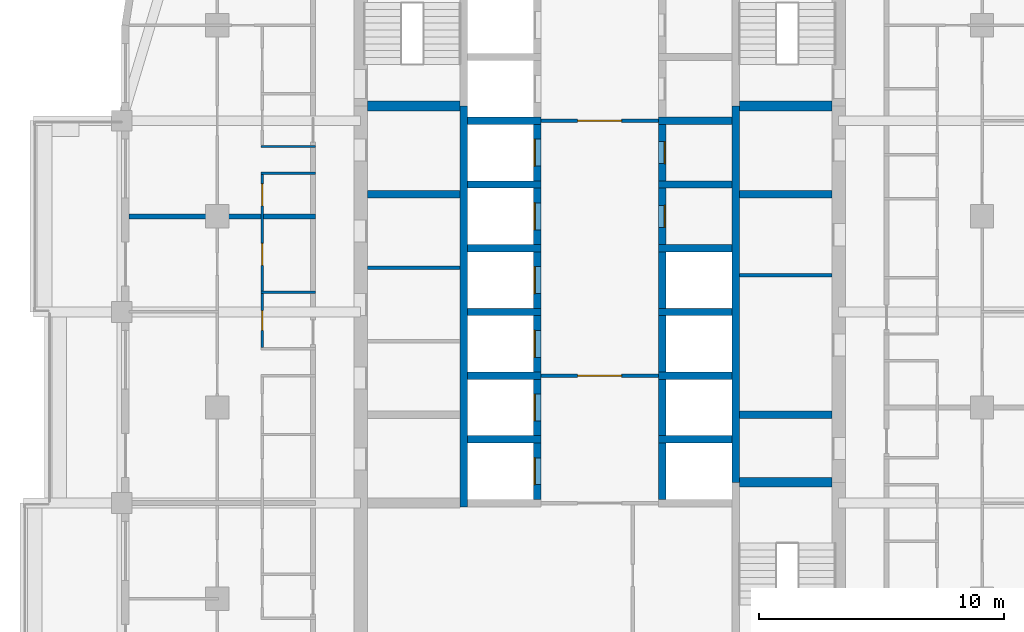
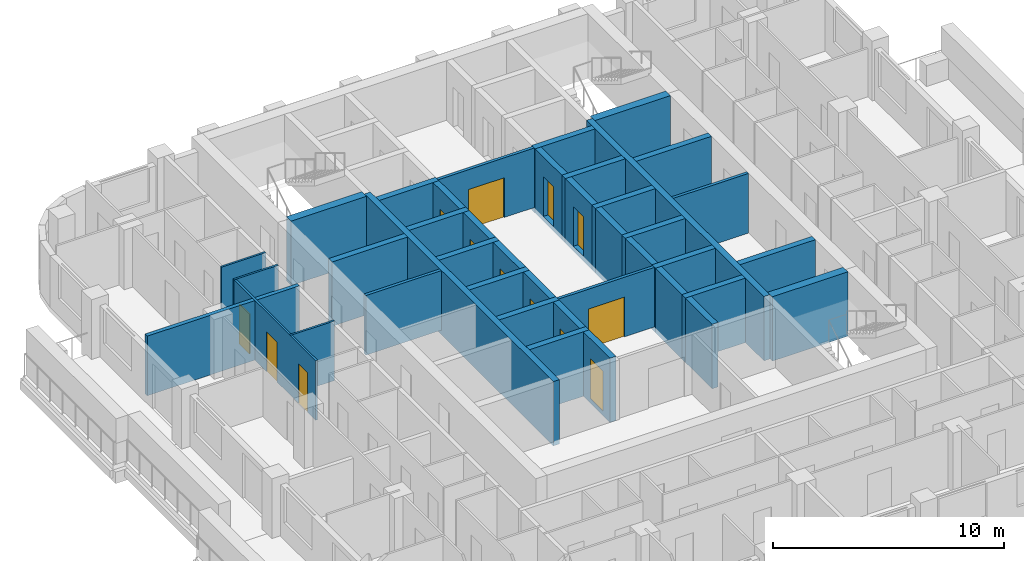
# One storey, part 5 of 13: 41 walls, 13 doors, 13 openings.
"""IFC4 building model written with IfcOpenShell, lengths in metres."""

from ifc_helpers import new_model, si_unit, direction, frame, frame_2d, origin, place, context, subcontext, project, spatial, rectangle, extrude, material, layer, layer_set, type_object, element, fill, save


model = new_model("IFC4")

# Units and contexts
model_context = context("Model", 3, precision=1e-05, world=origin(), true_north=direction((0.0, 1.0)))
body_context = subcontext(model_context, "Body", "Model", "MODEL_VIEW")
ifc_project = project(units=[si_unit("LENGTHUNIT", "METRE"), si_unit("AREAUNIT", "SQUARE_METRE"), si_unit("VOLUMEUNIT", "CUBIC_METRE"), si_unit("PLANEANGLEUNIT", "RADIAN"), si_unit("MASSUNIT", "GRAM", prefix="KILO")], contexts=[model_context])

# Site, building, storey
site_placement = place(None, origin())
site = spatial("IfcSite", under=ifc_project, at=site_placement, CompositionType="ELEMENT")
building_placement = place(site_placement, origin())
building = spatial("IfcBuilding", under=site, at=building_placement, Name="Ludao Terraces", CompositionType="ELEMENT")
storey_placement = place(building_placement, frame((0.0, 0.0, 127.10009765625)))
storey = spatial("IfcBuildingStorey", under=building, at=storey_placement, Name="L34", CompositionType="ELEMENT", Elevation=127.10009765625)

# Wall, opening, door
ifc_material_1 = material(Name="Fire-rated gypsum plasterboard", Category="gypsum")
ifc_layer_1 = layer(ifc_material_1, 0.012451171875, Category="gypsum")
ifc_material_2 = material(Name="Mineral wool")
ifc_layer_2 = layer(ifc_material_2, 0.10009765625, Name="insulation")
ifc_material_3 = material(Name="Steel Q235", Category="steel")
ifc_layer_3 = layer(ifc_material_3, 0.02490234375, Name="stud")
ifc_layer_4 = layer(ifc_material_1, 0.012451171875, Category="gypsum")
ifc_layer_set_1 = layer_set([ifc_layer_1, ifc_layer_2, ifc_layer_3, ifc_layer_4], Name="INT Core partition 150")
wall_type_1 = type_object("IfcWallType", Name="INT Core partition 150", PredefinedType="PARTITIONING", material=ifc_layer_set_1)
wall_1_placement = place(storey_placement, frame((82.60009765625, 66.300048828125, 0.0), z_axis=(0.0, 0.0, 1.0), x_axis=(1.0, 0.0, 0.0)))
wall_1 = element("IfcWall", 1, at=wall_1_placement, inside=storey, type_object=wall_type_1, Name="PW-L34-PW024", PredefinedType="PARTITIONING", context=body_context, shape_type="SweptSolid", body=[
    extrude(rectangle(XDim=4.800048828125, YDim=0.14990234375, at=frame_2d((2.39990234375, 0.0))), origin(), (0.0, 0.0, 1.0), 3.14990234375),
])
opening_1_placement = place(wall_1_placement, frame((1.5, 0.0, 0.0)))
opening_1 = element("IfcOpeningElement", 2, at=opening_1_placement, cuts=wall_1, Name="Opening R10-051", PredefinedType="OPENING", context=body_context, shape_type="SweptSolid", body=[
    extrude(rectangle(XDim=1.800048828125, YDim=2.10009765625, at=frame_2d((0.89990234375, 1.050048828125))), frame((0.0, 0.0849609375, 0.0), z_axis=(0.0, -1.0, 0.0), x_axis=(1.0, 0.0, 0.0)), (0.0, 0.0, 1.0), 0.169921875),
])
door_type_1 = type_object("IfcDoorType", Name="INT Fire lobby door 1800", OperationType="DOUBLE_DOOR_SINGLE_SWING", PredefinedType="DOOR", material=ifc_material_3)
door_1_placement = place(opening_1_placement, origin())
door_1 = element("IfcDoor", 3, at=door_1_placement, inside=storey, type_object=door_type_1, Name="DOOR 051", OperationType="DOUBLE_DOOR_SINGLE_SWING", OverallHeight=2.10009765625, OverallWidth=1.800048828125, PredefinedType="DOOR", context=body_context, shape_type="SweptSolid", body=[
    extrude(rectangle(XDim=1.800048828125, YDim=2.10009765625, at=frame_2d((0.89990234375, 1.050048828125))), frame((0.0, 0.02490234375, 0.0), z_axis=(0.0, -1.0, 0.0), x_axis=(1.0, 0.0, 0.0)), (0.0, 0.0, 1.0), 0.050048828125),
])
fill(opening_1, door_1)

# Walls
for number, where, z_axis, x_axis, name in (
    (4, (90.7001953125, 70.39990234375, 0.0), (0.0, 0.0, 1.0), (1.0, 0.0, 0.0), "PW-L34-PW033"),
    (5, (75.525146484375, 70.699951171875, 0.0), (0.0, 0.0, 1.0), (1.0, 0.0, 0.0), "PW-L34-PW034"),
):
    element("IfcWall", number, at=place(storey_placement, frame(where, z_axis=z_axis, x_axis=x_axis)), inside=storey, type_object=wall_type_1, Name=name, PredefinedType="PARTITIONING", context=body_context, shape_type="SweptSolid", body=[
        extrude(rectangle(XDim=3.77490234375, YDim=0.14990234375, at=frame_2d((1.887451171875, 0.0))), origin(), (0.0, 0.0, 1.0), 3.14990234375),
    ])

# Wall, opening, door
wall_2_placement = place(storey_placement, frame((82.60009765625, 76.699951171875, 0.0), z_axis=(0.0, 0.0, 1.0), x_axis=(1.0, 0.0, 0.0)))
wall_2 = element("IfcWall", 6, at=wall_2_placement, inside=storey, type_object=wall_type_1, Name="PW-L34-PW040", PredefinedType="PARTITIONING", context=body_context, shape_type="SweptSolid", body=[
    extrude(rectangle(XDim=4.800048828125, YDim=0.14990234375, at=frame_2d((2.39990234375, 0.0))), origin(), (0.0, 0.0, 1.0), 3.14990234375),
])
opening_2_placement = place(wall_2_placement, frame((1.5, 0.0, 0.0)))
opening_2 = element("IfcOpeningElement", 7, at=opening_2_placement, cuts=wall_2, Name="Opening R10-078", PredefinedType="OPENING", context=body_context, shape_type="SweptSolid", body=[
    extrude(rectangle(XDim=1.800048828125, YDim=2.10009765625, at=frame_2d((0.89990234375, 1.050048828125))), frame((0.0, 0.0849609375, 0.0), z_axis=(0.0, -1.0, 0.0), x_axis=(1.0, 0.0, 0.0)), (0.0, 0.0, 1.0), 0.169921875),
])
door_2_placement = place(opening_2_placement, origin())
door_2 = element("IfcDoor", 8, at=door_2_placement, inside=storey, type_object=door_type_1, Name="DOOR 078", OperationType="DOUBLE_DOOR_SINGLE_SWING", OverallHeight=2.10009765625, OverallWidth=1.800048828125, PredefinedType="DOOR", context=body_context, shape_type="SweptSolid", body=[
    extrude(rectangle(XDim=1.800048828125, YDim=2.10009765625, at=frame_2d((0.89990234375, 1.050048828125))), frame((0.0, 0.02490234375, 0.0), z_axis=(0.0, -1.0, 0.0), x_axis=(1.0, 0.0, 0.0)), (0.0, 0.0, 1.0), 0.050048828125),
])
fill(opening_2, door_2)

# Walls
ifc_material_4 = material(Name="Gypsum plasterboard", Category="gypsum")
ifc_layer_5 = layer(ifc_material_4, 0.012451171875, Category="gypsum")
ifc_layer_6 = layer(ifc_material_2, 0.06005859375, Name="insulation")
ifc_layer_7 = layer(ifc_material_3, 0.014892578125, Name="stud")
ifc_layer_8 = layer(ifc_material_4, 0.012451171875, Category="gypsum")
ifc_layer_set_2 = layer_set([ifc_layer_5, ifc_layer_6, ifc_layer_7, ifc_layer_8], Name="INT Partition 100")
wall_type_2 = type_object("IfcWallType", Name="INT Partition 100", PredefinedType="PARTITIONING", material=ifc_layer_set_2)
for number, where, z_axis, x_axis, name in (
    (9, (71.18017578125, 69.699951171875, 0.0), (0.0, 0.0, 1.0), (1.0, 0.0, 0.0), "PW-L34-PW031"),
    (10, (71.18017578125, 74.550048828125, 0.0), (0.0, 0.0, 1.0), (1.0, 0.0, 0.0), "PW-L34-PW037"),
    (11, (71.18017578125, 75.64990234375, 0.0), (0.0, 0.0, 1.0), (1.0, 0.0, 0.0), "PW-L34-PW039"),
):
    element("IfcWall", number, at=place(storey_placement, frame(where, z_axis=z_axis, x_axis=x_axis)), inside=storey, type_object=wall_type_2, Name=name, PredefinedType="PARTITIONING", context=body_context, shape_type="SweptSolid", body=[
        extrude(rectangle(XDim=2.219970703125, YDim=0.10009765625, at=frame_2d((1.10986328125, 0.0))), origin(), (0.0, 0.0, 1.0), 3.14990234375),
    ])

# Wall, openings, doors
wall_3_placement = place(storey_placement, frame((71.22998046875, 67.4501953125, 0.0), z_axis=(0.0, 0.0, 1.0), x_axis=(0.0, 1.0, 0.0)))
wall_3 = element("IfcWall", 12, at=wall_3_placement, inside=storey, type_object=wall_type_2, Name="PW-L34-PW049", PredefinedType="PARTITIONING", context=body_context, shape_type="SweptSolid", body=[
    extrude(rectangle(XDim=7.0498046875, YDim=0.10009765625, at=frame_2d((3.52490234375, 0.0))), origin(), (0.0, 0.0, 1.0), 3.14990234375),
])
opening_3_placement = place(wall_3_placement, frame((0.699951171875, 0.0, 0.0)))
opening_3 = element("IfcOpeningElement", 13, at=opening_3_placement, cuts=wall_3, Name="Opening R10-056", PredefinedType="OPENING", context=body_context, shape_type="SweptSolid", body=[
    extrude(rectangle(XDim=0.800048828125, YDim=2.10009765625, at=frame_2d((0.39990234375, 1.050048828125))), frame((0.0, 0.06005859375, 0.0), z_axis=(0.0, -1.0, 0.0), x_axis=(1.0, 0.0, 0.0)), (0.0, 0.0, 1.0), 0.1201171875),
])
opening_4_placement = place(wall_3_placement, frame((3.349853515625, 0.0, 0.0)))
opening_4 = element("IfcOpeningElement", 14, at=opening_4_placement, cuts=wall_3, Name="Opening R10-062", PredefinedType="OPENING", context=body_context, shape_type="SweptSolid", body=[
    extrude(rectangle(XDim=0.89990234375, YDim=2.10009765625, at=frame_2d((0.449951171875, 1.050048828125))), frame((0.0, 0.06005859375, 0.0), z_axis=(0.0, -1.0, 0.0), x_axis=(1.0, 0.0, 0.0)), (0.0, 0.0, 1.0), 0.1201171875),
])
opening_5_placement = place(wall_3_placement, frame((5.77490234375, 0.0, 0.0)))
opening_5 = element("IfcOpeningElement", 15, at=opening_5_placement, cuts=wall_3, Name="Opening R10-068", PredefinedType="OPENING", context=body_context, shape_type="SweptSolid", body=[
    extrude(rectangle(XDim=0.89990234375, YDim=2.10009765625, at=frame_2d((0.449951171875, 1.050048828125))), frame((0.0, 0.06005859375, 0.0), z_axis=(0.0, -1.0, 0.0), x_axis=(1.0, 0.0, 0.0)), (0.0, 0.0, 1.0), 0.1201171875),
])
ifc_material_5 = material(Name="Timber door leaf", Category="wood")
door_type_2 = type_object("IfcDoorType", Name="INT Bathroom door 900", OperationType="SINGLE_SWING_LEFT", PredefinedType="DOOR", material=ifc_material_5)
door_3_placement = place(opening_5_placement, origin())
door_3 = element("IfcDoor", 16, at=door_3_placement, inside=storey, type_object=door_type_2, Name="DOOR 068", OperationType="SINGLE_SWING_RIGHT", OverallHeight=2.10009765625, OverallWidth=0.89990234375, PredefinedType="DOOR", context=body_context, shape_type="SweptSolid", body=[
    extrude(rectangle(XDim=0.89990234375, YDim=2.10009765625, at=frame_2d((0.449951171875, 1.050048828125))), frame((0.0, 0.02490234375, 0.0), z_axis=(0.0, -1.0, 0.0), x_axis=(1.0, 0.0, 0.0)), (0.0, 0.0, 1.0), 0.050048828125),
])
fill(opening_5, door_3)
door_type_3 = type_object("IfcDoorType", Name="INT Room door 900", OperationType="SINGLE_SWING_LEFT", PredefinedType="DOOR", material=ifc_material_5)
door_4_placement = place(opening_4_placement, origin())
door_4 = element("IfcDoor", 17, at=door_4_placement, inside=storey, type_object=door_type_3, Name="DOOR 062", OperationType="SINGLE_SWING_LEFT", OverallHeight=2.10009765625, OverallWidth=0.89990234375, PredefinedType="DOOR", context=body_context, shape_type="SweptSolid", body=[
    extrude(rectangle(XDim=0.89990234375, YDim=2.10009765625, at=frame_2d((0.449951171875, 1.050048828125))), frame((0.0, 0.02490234375, 0.0), z_axis=(0.0, -1.0, 0.0), x_axis=(1.0, 0.0, 0.0)), (0.0, 0.0, 1.0), 0.050048828125),
])
fill(opening_4, door_4)
door_type_4 = type_object("IfcDoorType", Name="INT Store door 800", OperationType="SINGLE_SWING_LEFT", PredefinedType="DOOR", material=ifc_material_5)
door_5_placement = place(opening_3_placement, origin())
door_5 = element("IfcDoor", 18, at=door_5_placement, inside=storey, type_object=door_type_4, Name="DOOR 056", OperationType="SINGLE_SWING_RIGHT", OverallHeight=2.10009765625, OverallWidth=0.800048828125, PredefinedType="DOOR", context=body_context, shape_type="SweptSolid", body=[
    extrude(rectangle(XDim=0.800048828125, YDim=2.10009765625, at=frame_2d((0.39990234375, 1.050048828125))), frame((0.0, 0.02490234375, 0.0), z_axis=(0.0, -1.0, 0.0), x_axis=(1.0, 0.0, 0.0)), (0.0, 0.0, 1.0), 0.050048828125),
])
fill(opening_3, door_5)

# Walls
ifc_material_6 = material(Name="Autoclaved aerated concrete block B06 A3.5", Category="concrete")
ifc_layer_9 = layer(ifc_material_6, 0.199951171875)
ifc_layer_set_3 = layer_set([ifc_layer_9], Name="INT Party wall 200")
wall_type_3 = type_object("IfcWallType", Name="INT Party wall 200", PredefinedType="PARTITIONING", material=ifc_layer_set_3)
wall_4_placement = place(storey_placement, frame((65.800048828125, 72.800048828125, 0.0), z_axis=(0.0, 0.0, 1.0), x_axis=(1.0, 0.0, 0.0)))
element("IfcWall", 19, at=wall_4_placement, inside=storey, type_object=wall_type_3, Name="PW-L34-PW035", PredefinedType="PARTITIONING", context=body_context, shape_type="SweptSolid", body=[
    extrude(rectangle(XDim=7.60009765625, YDim=0.199951171875, at=frame_2d((3.800048828125, 0.0))), origin(), (0.0, 0.0, 1.0), 3.14990234375),
])
ifc_material_7 = material(Name="Concrete C55", Category="concrete")
ifc_layer_10 = layer(ifc_material_7, 0.300048828125)
ifc_layer_set_4 = layer_set([ifc_layer_10], Name="Shaft wall 300 C55")
wall_type_4 = type_object("IfcWallType", Name="Shaft wall 300 C55", PredefinedType="SOLIDWALL", material=ifc_layer_set_4)
wall_5_placement = place(storey_placement, frame((79.449951171875, 60.949951171875, -0.25), z_axis=(0.0, 0.0, 1.0), x_axis=(0.0, 1.0, 0.0)))
element("IfcWall", 20, at=wall_5_placement, inside=storey, type_object=wall_type_4, Name="Core wall L34 back-W", PredefinedType="SOLIDWALL", context=body_context, shape_type="SweptSolid", body=[
    extrude(rectangle(XDim=16.35009765625, YDim=0.300048828125, at=frame_2d((8.175048828125, 0.0))), origin(), (0.0, 0.0, 1.0), 3.39990234375),
])
wall_6_placement = place(storey_placement, frame((90.550048828125, 61.949951171875, -0.25), z_axis=(0.0, 0.0, 1.0), x_axis=(0.0, 1.0, 0.0)))
element("IfcWall", 21, at=wall_6_placement, inside=storey, type_object=wall_type_4, Name="Core wall L34 back-E", PredefinedType="SOLIDWALL", context=body_context, shape_type="SweptSolid", body=[
    extrude(rectangle(XDim=15.35009765625, YDim=0.300048828125, at=frame_2d((7.675048828125, 0.0))), origin(), (0.0, 0.0, 1.0), 3.39990234375),
])

# Wall, opening, door
wall_7_placement = place(storey_placement, frame((82.449951171875, 61.25, -0.25), z_axis=(0.0, 0.0, 1.0), x_axis=(0.0, 1.0, 0.0)))
wall_7 = element("IfcWall", 22, at=wall_7_placement, inside=storey, type_object=wall_type_4, Name="Core wall L34 front-W1", PredefinedType="SOLIDWALL", context=body_context, shape_type="SweptSolid", body=[
    extrude(rectangle(XDim=2.300048828125, YDim=0.300048828125, at=frame_2d((1.14990234375, 0.0))), origin(), (0.0, 0.0, 1.0), 3.39990234375),
])
opening_6_placement = place(wall_7_placement, frame((0.60009765625, 0.0, 0.25)))
opening_6 = element("IfcOpeningElement", 23, at=opening_6_placement, cuts=wall_7, Name="Opening LD-LA1", PredefinedType="OPENING", context=body_context, shape_type="SweptSolid", body=[
    extrude(rectangle(XDim=1.10009765625, YDim=2.10009765625, at=frame_2d((0.550048828125, 1.050048828125))), frame((0.0, 0.16015625, 0.0), z_axis=(0.0, -1.0, 0.0), x_axis=(1.0, 0.0, 0.0)), (0.0, 0.0, 1.0), 0.320068359375),
])
ifc_material_8 = material(Name="Stainless steel 304", Category="steel")
door_type_5 = type_object("IfcDoorType", Name="INT Lift landing door 1100", OperationType="SLIDING_TO_LEFT", PredefinedType="DOOR", material=ifc_material_8)
door_6_placement = place(opening_6_placement, origin())
door_6 = element("IfcDoor", 24, at=door_6_placement, inside=storey, type_object=door_type_5, Name="LANDING DOOR LA1 L34", OperationType="SLIDING_TO_RIGHT", OverallHeight=2.10009765625, OverallWidth=1.10009765625, PredefinedType="DOOR", context=body_context, shape_type="SweptSolid", body=[
    extrude(rectangle(XDim=1.10009765625, YDim=2.10009765625, at=frame_2d((0.550048828125, 1.050048828125))), frame((0.0, 0.13525390625, 0.0), z_axis=(0.0, -1.0, 0.0), x_axis=(1.0, 0.0, 0.0)), (0.0, 0.0, 1.0), 0.050048828125),
])
fill(opening_6, door_6)

# Wall
wall_8_placement = place(storey_placement, frame((79.60009765625, 63.699951171875, -0.25), z_axis=(0.0, 0.0, 1.0), x_axis=(1.0, 0.0, 0.0)))
element("IfcWall", 25, at=wall_8_placement, inside=storey, type_object=wall_type_4, Name="Core wall L34 div-W2", PredefinedType="SOLIDWALL", context=body_context, shape_type="SweptSolid", body=[
    extrude(rectangle(XDim=3.0, YDim=0.300048828125, at=frame_2d((1.5, 0.0))), origin(), (0.0, 0.0, 1.0), 3.39990234375),
])

# Wall, opening, door
wall_9_placement = place(storey_placement, frame((82.449951171875, 63.85009765625, -0.25), z_axis=(0.0, 0.0, 1.0), x_axis=(0.0, 1.0, 0.0)))
wall_9 = element("IfcWall", 26, at=wall_9_placement, inside=storey, type_object=wall_type_4, Name="Core wall L34 front-W2", PredefinedType="SOLIDWALL", context=body_context, shape_type="SweptSolid", body=[
    extrude(rectangle(XDim=2.2998046875, YDim=0.300048828125, at=frame_2d((1.14990234375, 0.0))), origin(), (0.0, 0.0, 1.0), 3.39990234375),
])
opening_7_placement = place(wall_9_placement, frame((0.60009765625, 0.0, 0.25)))
opening_7 = element("IfcOpeningElement", 27, at=opening_7_placement, cuts=wall_9, Name="Opening LD-LA2", PredefinedType="OPENING", context=body_context, shape_type="SweptSolid", body=[
    extrude(rectangle(XDim=1.10009765625, YDim=2.10009765625, at=frame_2d((0.550048828125, 1.050048828125))), frame((0.0, 0.16015625, 0.0), z_axis=(0.0, -1.0, 0.0), x_axis=(1.0, 0.0, 0.0)), (0.0, 0.0, 1.0), 0.320068359375),
])
door_7_placement = place(opening_7_placement, origin())
door_7 = element("IfcDoor", 28, at=door_7_placement, inside=storey, type_object=door_type_5, Name="LANDING DOOR LA2 L34", OperationType="SLIDING_TO_RIGHT", OverallHeight=2.10009765625, OverallWidth=1.10009765625, PredefinedType="DOOR", context=body_context, shape_type="SweptSolid", body=[
    extrude(rectangle(XDim=1.10009765625, YDim=2.10009765625, at=frame_2d((0.550048828125, 1.050048828125))), frame((0.0, 0.13525390625, 0.0), z_axis=(0.0, -1.0, 0.0), x_axis=(1.0, 0.0, 0.0)), (0.0, 0.0, 1.0), 0.050048828125),
])
fill(opening_7, door_7)

# Wall
wall_10_placement = place(storey_placement, frame((79.60009765625, 66.300048828125, -0.25), z_axis=(0.0, 0.0, 1.0), x_axis=(1.0, 0.0, 0.0)))
element("IfcWall", 29, at=wall_10_placement, inside=storey, type_object=wall_type_4, Name="Core wall L34 div-W3", PredefinedType="SOLIDWALL", context=body_context, shape_type="SweptSolid", body=[
    extrude(rectangle(XDim=3.0, YDim=0.300048828125, at=frame_2d((1.5, 0.0))), origin(), (0.0, 0.0, 1.0), 3.39990234375),
])

# Wall, opening, door
wall_11_placement = place(storey_placement, frame((82.449951171875, 66.449951171875, -0.25), z_axis=(0.0, 0.0, 1.0), x_axis=(0.0, 1.0, 0.0)))
wall_11 = element("IfcWall", 30, at=wall_11_placement, inside=storey, type_object=wall_type_4, Name="Core wall L34 front-W3", PredefinedType="SOLIDWALL", context=body_context, shape_type="SweptSolid", body=[
    extrude(rectangle(XDim=2.300048828125, YDim=0.300048828125, at=frame_2d((1.14990234375, 0.0))), origin(), (0.0, 0.0, 1.0), 3.39990234375),
])
opening_8_placement = place(wall_11_placement, frame((0.60009765625, 0.0, 0.25)))
opening_8 = element("IfcOpeningElement", 31, at=opening_8_placement, cuts=wall_11, Name="Opening LD-LA3", PredefinedType="OPENING", context=body_context, shape_type="SweptSolid", body=[
    extrude(rectangle(XDim=1.10009765625, YDim=2.10009765625, at=frame_2d((0.550048828125, 1.050048828125))), frame((0.0, 0.16015625, 0.0), z_axis=(0.0, -1.0, 0.0), x_axis=(1.0, 0.0, 0.0)), (0.0, 0.0, 1.0), 0.320068359375),
])
door_8_placement = place(opening_8_placement, origin())
door_8 = element("IfcDoor", 32, at=door_8_placement, inside=storey, type_object=door_type_5, Name="LANDING DOOR LA3 L34", OperationType="SLIDING_TO_RIGHT", OverallHeight=2.10009765625, OverallWidth=1.10009765625, PredefinedType="DOOR", context=body_context, shape_type="SweptSolid", body=[
    extrude(rectangle(XDim=1.10009765625, YDim=2.10009765625, at=frame_2d((0.550048828125, 1.050048828125))), frame((0.0, 0.13525390625, 0.0), z_axis=(0.0, -1.0, 0.0), x_axis=(1.0, 0.0, 0.0)), (0.0, 0.0, 1.0), 0.050048828125),
])
fill(opening_8, door_8)

# Wall
wall_12_placement = place(storey_placement, frame((79.60009765625, 68.89990234375, -0.25), z_axis=(0.0, 0.0, 1.0), x_axis=(1.0, 0.0, 0.0)))
element("IfcWall", 33, at=wall_12_placement, inside=storey, type_object=wall_type_4, Name="Core wall L34 div-W4", PredefinedType="SOLIDWALL", context=body_context, shape_type="SweptSolid", body=[
    extrude(rectangle(XDim=3.0, YDim=0.300048828125, at=frame_2d((1.5, 0.0))), origin(), (0.0, 0.0, 1.0), 3.39990234375),
])

# Wall, opening, door
wall_13_placement = place(storey_placement, frame((82.449951171875, 69.050048828125, -0.25), z_axis=(0.0, 0.0, 1.0), x_axis=(0.0, 1.0, 0.0)))
wall_13 = element("IfcWall", 34, at=wall_13_placement, inside=storey, type_object=wall_type_4, Name="Core wall L34 front-W4", PredefinedType="SOLIDWALL", context=body_context, shape_type="SweptSolid", body=[
    extrude(rectangle(XDim=2.300048828125, YDim=0.300048828125, at=frame_2d((1.14990234375, 0.0))), origin(), (0.0, 0.0, 1.0), 3.39990234375),
])
opening_9_placement = place(wall_13_placement, frame((0.60009765625, 0.0, 0.25)))
opening_9 = element("IfcOpeningElement", 35, at=opening_9_placement, cuts=wall_13, Name="Opening LD-LA4", PredefinedType="OPENING", context=body_context, shape_type="SweptSolid", body=[
    extrude(rectangle(XDim=1.10009765625, YDim=2.10009765625, at=frame_2d((0.550048828125, 1.050048828125))), frame((0.0, 0.16015625, 0.0), z_axis=(0.0, -1.0, 0.0), x_axis=(1.0, 0.0, 0.0)), (0.0, 0.0, 1.0), 0.320068359375),
])
door_9_placement = place(opening_9_placement, origin())
door_9 = element("IfcDoor", 36, at=door_9_placement, inside=storey, type_object=door_type_5, Name="LANDING DOOR LA4 L34", OperationType="SLIDING_TO_LEFT", OverallHeight=2.10009765625, OverallWidth=1.10009765625, PredefinedType="DOOR", context=body_context, shape_type="SweptSolid", body=[
    extrude(rectangle(XDim=1.10009765625, YDim=2.10009765625, at=frame_2d((0.550048828125, 1.050048828125))), frame((0.0, 0.13525390625, 0.0), z_axis=(0.0, -1.0, 0.0), x_axis=(1.0, 0.0, 0.0)), (0.0, 0.0, 1.0), 0.050048828125),
])
fill(opening_9, door_9)

# Wall
wall_14_placement = place(storey_placement, frame((79.60009765625, 71.5, -0.25), z_axis=(0.0, 0.0, 1.0), x_axis=(1.0, 0.0, 0.0)))
element("IfcWall", 37, at=wall_14_placement, inside=storey, type_object=wall_type_4, Name="Core wall L34 div-W5", PredefinedType="SOLIDWALL", context=body_context, shape_type="SweptSolid", body=[
    extrude(rectangle(XDim=3.0, YDim=0.300048828125, at=frame_2d((1.5, 0.0))), origin(), (0.0, 0.0, 1.0), 3.39990234375),
])

# Wall, opening, door
wall_15_placement = place(storey_placement, frame((82.449951171875, 71.64990234375, -0.25), z_axis=(0.0, 0.0, 1.0), x_axis=(0.0, 1.0, 0.0)))
wall_15 = element("IfcWall", 38, at=wall_15_placement, inside=storey, type_object=wall_type_4, Name="Core wall L34 front-W5", PredefinedType="SOLIDWALL", context=body_context, shape_type="SweptSolid", body=[
    extrude(rectangle(XDim=2.300048828125, YDim=0.300048828125, at=frame_2d((1.14990234375, 0.0))), origin(), (0.0, 0.0, 1.0), 3.39990234375),
])
opening_10_placement = place(wall_15_placement, frame((0.60009765625, 0.0, 0.25)))
opening_10 = element("IfcOpeningElement", 39, at=opening_10_placement, cuts=wall_15, Name="Opening LD-LA5", PredefinedType="OPENING", context=body_context, shape_type="SweptSolid", body=[
    extrude(rectangle(XDim=1.10009765625, YDim=2.10009765625, at=frame_2d((0.550048828125, 1.050048828125))), frame((0.0, 0.16015625, 0.0), z_axis=(0.0, -1.0, 0.0), x_axis=(1.0, 0.0, 0.0)), (0.0, 0.0, 1.0), 0.320068359375),
])
door_10_placement = place(opening_10_placement, origin())
door_10 = element("IfcDoor", 40, at=door_10_placement, inside=storey, type_object=door_type_5, Name="LANDING DOOR LA5 L34", OperationType="SLIDING_TO_LEFT", OverallHeight=2.10009765625, OverallWidth=1.10009765625, PredefinedType="DOOR", context=body_context, shape_type="SweptSolid", body=[
    extrude(rectangle(XDim=1.10009765625, YDim=2.10009765625, at=frame_2d((0.550048828125, 1.050048828125))), frame((0.0, 0.13525390625, 0.0), z_axis=(0.0, -1.0, 0.0), x_axis=(1.0, 0.0, 0.0)), (0.0, 0.0, 1.0), 0.050048828125),
])
fill(opening_10, door_10)

# Wall
wall_16_placement = place(storey_placement, frame((79.60009765625, 74.10009765625, -0.25), z_axis=(0.0, 0.0, 1.0), x_axis=(1.0, 0.0, 0.0)))
element("IfcWall", 41, at=wall_16_placement, inside=storey, type_object=wall_type_4, Name="Core wall L34 div-W6", PredefinedType="SOLIDWALL", context=body_context, shape_type="SweptSolid", body=[
    extrude(rectangle(XDim=3.0, YDim=0.300048828125, at=frame_2d((1.5, 0.0))), origin(), (0.0, 0.0, 1.0), 3.39990234375),
])

# Wall, opening, door
wall_17_placement = place(storey_placement, frame((82.449951171875, 74.25, -0.25), z_axis=(0.0, 0.0, 1.0), x_axis=(0.0, 1.0, 0.0)))
wall_17 = element("IfcWall", 42, at=wall_17_placement, inside=storey, type_object=wall_type_4, Name="Core wall L34 front-W6", PredefinedType="SOLIDWALL", context=body_context, shape_type="SweptSolid", body=[
    extrude(rectangle(XDim=2.300048828125, YDim=0.300048828125, at=frame_2d((1.14990234375, 0.0))), origin(), (0.0, 0.0, 1.0), 3.39990234375),
])
opening_11_placement = place(wall_17_placement, frame((0.60009765625, 0.0, 0.25)))
opening_11 = element("IfcOpeningElement", 43, at=opening_11_placement, cuts=wall_17, Name="Opening LD-LA6", PredefinedType="OPENING", context=body_context, shape_type="SweptSolid", body=[
    extrude(rectangle(XDim=1.10009765625, YDim=2.10009765625, at=frame_2d((0.550048828125, 1.050048828125))), frame((0.0, 0.16015625, 0.0), z_axis=(0.0, -1.0, 0.0), x_axis=(1.0, 0.0, 0.0)), (0.0, 0.0, 1.0), 0.320068359375),
])
door_11_placement = place(opening_11_placement, origin())
door_11 = element("IfcDoor", 44, at=door_11_placement, inside=storey, type_object=door_type_5, Name="LANDING DOOR LA6 L34", OperationType="SLIDING_TO_LEFT", OverallHeight=2.10009765625, OverallWidth=1.10009765625, PredefinedType="DOOR", context=body_context, shape_type="SweptSolid", body=[
    extrude(rectangle(XDim=1.10009765625, YDim=2.10009765625, at=frame_2d((0.550048828125, 1.050048828125))), frame((0.0, 0.13525390625, 0.0), z_axis=(0.0, -1.0, 0.0), x_axis=(1.0, 0.0, 0.0)), (0.0, 0.0, 1.0), 0.050048828125),
])
fill(opening_11, door_11)

# Walls
wall_18_placement = place(storey_placement, frame((79.60009765625, 76.699951171875, -0.25), z_axis=(0.0, 0.0, 1.0), x_axis=(1.0, 0.0, 0.0)))
element("IfcWall", 45, at=wall_18_placement, inside=storey, type_object=wall_type_4, Name="Core wall L34 div-W7", PredefinedType="SOLIDWALL", context=body_context, shape_type="SweptSolid", body=[
    extrude(rectangle(XDim=3.0, YDim=0.300048828125, at=frame_2d((1.5, 0.0))), origin(), (0.0, 0.0, 1.0), 3.39990234375),
])
wall_19_placement = place(storey_placement, frame((87.550048828125, 61.25, -0.25), z_axis=(0.0, 0.0, 1.0), x_axis=(0.0, 1.0, 0.0)))
element("IfcWall", 46, at=wall_19_placement, inside=storey, type_object=wall_type_4, Name="Core wall L34 front-E1", PredefinedType="SOLIDWALL", context=body_context, shape_type="SweptSolid", body=[
    extrude(rectangle(XDim=2.300048828125, YDim=0.300048828125, at=frame_2d((1.14990234375, 0.0))), origin(), (0.0, 0.0, 1.0), 3.39990234375),
])
wall_20_placement = place(storey_placement, frame((87.39990234375, 63.699951171875, -0.25), z_axis=(0.0, 0.0, 1.0), x_axis=(1.0, 0.0, 0.0)))
element("IfcWall", 47, at=wall_20_placement, inside=storey, type_object=wall_type_4, Name="Core wall L34 div-E2", PredefinedType="SOLIDWALL", context=body_context, shape_type="SweptSolid", body=[
    extrude(rectangle(XDim=3.0, YDim=0.300048828125, at=frame_2d((1.5, 0.0))), origin(), (0.0, 0.0, 1.0), 3.39990234375),
])
wall_21_placement = place(storey_placement, frame((87.550048828125, 63.85009765625, -0.25), z_axis=(0.0, 0.0, 1.0), x_axis=(0.0, 1.0, 0.0)))
element("IfcWall", 48, at=wall_21_placement, inside=storey, type_object=wall_type_4, Name="Core wall L34 front-E2", PredefinedType="SOLIDWALL", context=body_context, shape_type="SweptSolid", body=[
    extrude(rectangle(XDim=2.2998046875, YDim=0.300048828125, at=frame_2d((1.14990234375, 0.0))), origin(), (0.0, 0.0, 1.0), 3.39990234375),
])
wall_22_placement = place(storey_placement, frame((87.39990234375, 66.300048828125, -0.25), z_axis=(0.0, 0.0, 1.0), x_axis=(1.0, 0.0, 0.0)))
element("IfcWall", 49, at=wall_22_placement, inside=storey, type_object=wall_type_4, Name="Core wall L34 div-E3", PredefinedType="SOLIDWALL", context=body_context, shape_type="SweptSolid", body=[
    extrude(rectangle(XDim=3.0, YDim=0.300048828125, at=frame_2d((1.5, 0.0))), origin(), (0.0, 0.0, 1.0), 3.39990234375),
])
wall_23_placement = place(storey_placement, frame((87.550048828125, 66.449951171875, -0.25), z_axis=(0.0, 0.0, 1.0), x_axis=(0.0, 1.0, 0.0)))
element("IfcWall", 50, at=wall_23_placement, inside=storey, type_object=wall_type_4, Name="Core wall L34 front-E3", PredefinedType="SOLIDWALL", context=body_context, shape_type="SweptSolid", body=[
    extrude(rectangle(XDim=2.300048828125, YDim=0.300048828125, at=frame_2d((1.14990234375, 0.0))), origin(), (0.0, 0.0, 1.0), 3.39990234375),
])
wall_24_placement = place(storey_placement, frame((87.39990234375, 68.89990234375, -0.25), z_axis=(0.0, 0.0, 1.0), x_axis=(1.0, 0.0, 0.0)))
element("IfcWall", 51, at=wall_24_placement, inside=storey, type_object=wall_type_4, Name="Core wall L34 div-E4", PredefinedType="SOLIDWALL", context=body_context, shape_type="SweptSolid", body=[
    extrude(rectangle(XDim=3.0, YDim=0.300048828125, at=frame_2d((1.5, 0.0))), origin(), (0.0, 0.0, 1.0), 3.39990234375),
])
wall_25_placement = place(storey_placement, frame((87.550048828125, 69.050048828125, -0.25), z_axis=(0.0, 0.0, 1.0), x_axis=(0.0, 1.0, 0.0)))
element("IfcWall", 52, at=wall_25_placement, inside=storey, type_object=wall_type_4, Name="Core wall L34 front-E4", PredefinedType="SOLIDWALL", context=body_context, shape_type="SweptSolid", body=[
    extrude(rectangle(XDim=2.300048828125, YDim=0.300048828125, at=frame_2d((1.14990234375, 0.0))), origin(), (0.0, 0.0, 1.0), 3.39990234375),
])
wall_26_placement = place(storey_placement, frame((87.39990234375, 71.5, -0.25), z_axis=(0.0, 0.0, 1.0), x_axis=(1.0, 0.0, 0.0)))
element("IfcWall", 53, at=wall_26_placement, inside=storey, type_object=wall_type_4, Name="Core wall L34 div-E5", PredefinedType="SOLIDWALL", context=body_context, shape_type="SweptSolid", body=[
    extrude(rectangle(XDim=3.0, YDim=0.300048828125, at=frame_2d((1.5, 0.0))), origin(), (0.0, 0.0, 1.0), 3.39990234375),
])

# Wall, opening, door
wall_27_placement = place(storey_placement, frame((87.550048828125, 71.64990234375, -0.25), z_axis=(0.0, 0.0, 1.0), x_axis=(0.0, 1.0, 0.0)))
wall_27 = element("IfcWall", 54, at=wall_27_placement, inside=storey, type_object=wall_type_4, Name="Core wall L34 front-E5", PredefinedType="SOLIDWALL", context=body_context, shape_type="SweptSolid", body=[
    extrude(rectangle(XDim=2.300048828125, YDim=0.300048828125, at=frame_2d((1.14990234375, 0.0))), origin(), (0.0, 0.0, 1.0), 3.39990234375),
])
opening_12_placement = place(wall_27_placement, frame((0.699951171875, 0.0, 0.25)))
opening_12 = element("IfcOpeningElement", 55, at=opening_12_placement, cuts=wall_27, Name="Opening R10-067", PredefinedType="OPENING", context=body_context, shape_type="SweptSolid", body=[
    extrude(rectangle(XDim=0.89990234375, YDim=2.10009765625, at=frame_2d((0.449951171875, 1.050048828125))), frame((0.0, 0.16015625, 0.0), z_axis=(0.0, -1.0, 0.0), x_axis=(1.0, 0.0, 0.0)), (0.0, 0.0, 1.0), 0.320068359375),
])
door_12_placement = place(opening_12_placement, origin())
door_12 = element("IfcDoor", 56, at=door_12_placement, inside=storey, type_object=door_type_3, Name="DOOR 067", OperationType="SINGLE_SWING_RIGHT", OverallHeight=2.10009765625, OverallWidth=0.89990234375, PredefinedType="DOOR", context=body_context, shape_type="SweptSolid", body=[
    extrude(rectangle(XDim=0.89990234375, YDim=2.10009765625, at=frame_2d((0.449951171875, 1.050048828125))), frame((0.0, -0.0849609375, 0.0), z_axis=(0.0, -1.0, 0.0), x_axis=(1.0, 0.0, 0.0)), (0.0, 0.0, 1.0), 0.050048828125),
])
fill(opening_12, door_12)

# Wall
wall_28_placement = place(storey_placement, frame((87.39990234375, 74.10009765625, -0.25), z_axis=(0.0, 0.0, 1.0), x_axis=(1.0, 0.0, 0.0)))
element("IfcWall", 57, at=wall_28_placement, inside=storey, type_object=wall_type_4, Name="Core wall L34 div-E6", PredefinedType="SOLIDWALL", context=body_context, shape_type="SweptSolid", body=[
    extrude(rectangle(XDim=3.0, YDim=0.300048828125, at=frame_2d((1.5, 0.0))), origin(), (0.0, 0.0, 1.0), 3.39990234375),
])

# Wall, opening, door
wall_29_placement = place(storey_placement, frame((87.550048828125, 74.25, -0.25), z_axis=(0.0, 0.0, 1.0), x_axis=(0.0, 1.0, 0.0)))
wall_29 = element("IfcWall", 58, at=wall_29_placement, inside=storey, type_object=wall_type_4, Name="Core wall L34 front-E6", PredefinedType="SOLIDWALL", context=body_context, shape_type="SweptSolid", body=[
    extrude(rectangle(XDim=2.300048828125, YDim=0.300048828125, at=frame_2d((1.14990234375, 0.0))), origin(), (0.0, 0.0, 1.0), 3.39990234375),
])
opening_13_placement = place(wall_29_placement, frame((0.699951171875, 0.0, 0.25)))
opening_13 = element("IfcOpeningElement", 59, at=opening_13_placement, cuts=wall_29, Name="Opening R10-072", PredefinedType="OPENING", context=body_context, shape_type="SweptSolid", body=[
    extrude(rectangle(XDim=0.89990234375, YDim=2.10009765625, at=frame_2d((0.449951171875, 1.050048828125))), frame((0.0, 0.16015625, 0.0), z_axis=(0.0, -1.0, 0.0), x_axis=(1.0, 0.0, 0.0)), (0.0, 0.0, 1.0), 0.320068359375),
])
door_13_placement = place(opening_13_placement, origin())
door_13 = element("IfcDoor", 60, at=door_13_placement, inside=storey, type_object=door_type_3, Name="DOOR 072", OperationType="SINGLE_SWING_RIGHT", OverallHeight=2.10009765625, OverallWidth=0.89990234375, PredefinedType="DOOR", context=body_context, shape_type="SweptSolid", body=[
    extrude(rectangle(XDim=0.89990234375, YDim=2.10009765625, at=frame_2d((0.449951171875, 1.050048828125))), frame((0.0, -0.0849609375, 0.0), z_axis=(0.0, -1.0, 0.0), x_axis=(1.0, 0.0, 0.0)), (0.0, 0.0, 1.0), 0.050048828125),
])
fill(opening_13, door_13)

# Walls
wall_30_placement = place(storey_placement, frame((87.39990234375, 76.699951171875, -0.25), z_axis=(0.0, 0.0, 1.0), x_axis=(1.0, 0.0, 0.0)))
element("IfcWall", 61, at=wall_30_placement, inside=storey, type_object=wall_type_4, Name="Core wall L34 div-E7", PredefinedType="SOLIDWALL", context=body_context, shape_type="SweptSolid", body=[
    extrude(rectangle(XDim=3.0, YDim=0.300048828125, at=frame_2d((1.5, 0.0))), origin(), (0.0, 0.0, 1.0), 3.39990234375),
])
for number, where, z_axis, x_axis, name in (
    (62, (75.52490234375, 73.699951171875, -0.25), (0.0, 0.0, 1.0), (1.0, 0.0, 0.0), "Core wall L34 riser-b-W"),
    (63, (90.699951171875, 64.699951171875, -0.25), (0.0, 0.0, 1.0), (1.0, 0.0, 0.0), "Core wall L34 riser-a-E"),
    (64, (90.699951171875, 73.699951171875, -0.25), (0.0, 0.0, 1.0), (1.0, 0.0, 0.0), "Core wall L34 riser-b-E"),
):
    element("IfcWall", number, at=place(storey_placement, frame(where, z_axis=z_axis, x_axis=x_axis)), inside=storey, type_object=wall_type_4, Name=name, PredefinedType="SOLIDWALL", context=body_context, shape_type="SweptSolid", body=[
        extrude(rectangle(XDim=3.775146484375, YDim=0.300048828125, at=frame_2d((1.8876953125, 0.0))), origin(), (0.0, 0.0, 1.0), 3.39990234375),
    ])
ifc_layer_11 = layer(ifc_material_7, 0.39990234375)
ifc_layer_set_5 = layer_set([ifc_layer_11], Name="Shaft wall 400 C55")
wall_type_5 = type_object("IfcWallType", Name="Shaft wall 400 C55", PredefinedType="SOLIDWALL", material=ifc_layer_set_5)
for number, where, z_axis, x_axis, name in (
    (65, (75.52490234375, 77.300048828125, -0.25), (0.0, 0.0, 1.0), (1.0, 0.0, 0.0), "Core wall L34 stair-W"),
    (66, (90.699951171875, 61.949951171875, -0.25), (0.0, 0.0, 1.0), (1.0, 0.0, 0.0), "Core wall L34 hall-E"),
    (67, (90.699951171875, 77.300048828125, -0.25), (0.0, 0.0, 1.0), (1.0, 0.0, 0.0), "Core wall L34 stair-E"),
):
    element("IfcWall", number, at=place(storey_placement, frame(where, z_axis=z_axis, x_axis=x_axis)), inside=storey, type_object=wall_type_5, Name=name, PredefinedType="SOLIDWALL", context=body_context, shape_type="SweptSolid", body=[
        extrude(rectangle(XDim=3.775146484375, YDim=0.39990234375, at=frame_2d((1.8876953125, 0.0))), origin(), (0.0, 0.0, 1.0), 3.39990234375),
    ])

save(model, "model.ifc")
